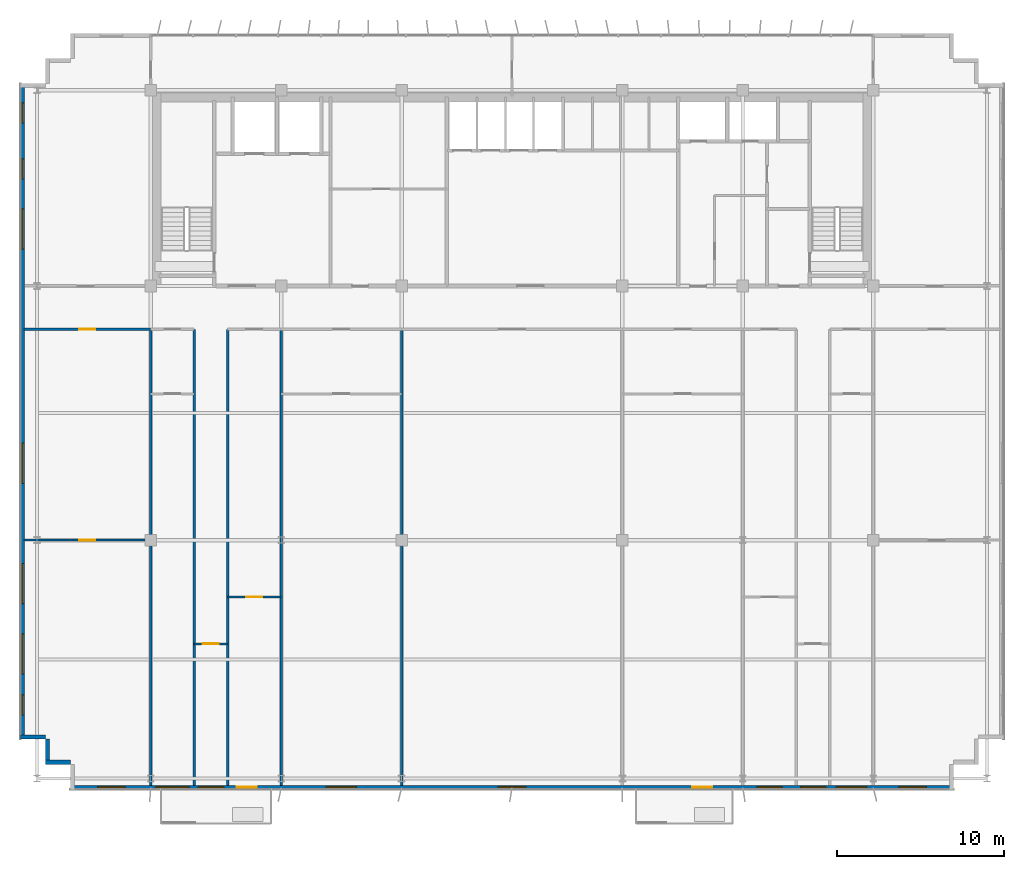
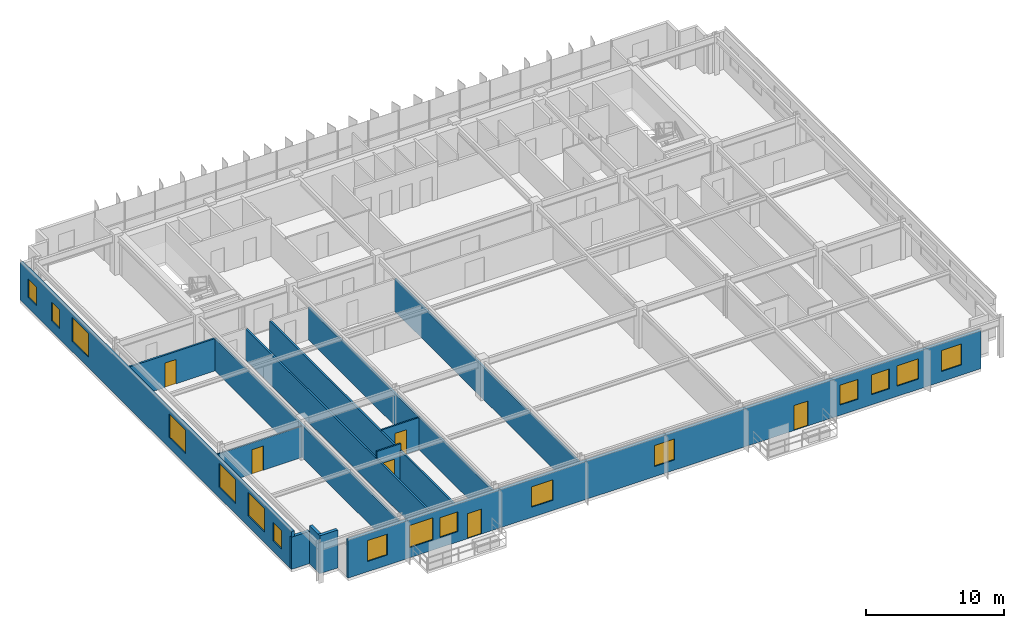
# One storey, part 14 of 20: 16 windows, 14 walls, 6 doors, 22 openings.
"""IFC4 building model written with IfcOpenShell, lengths in metres."""

from ifc_helpers import new_model, si_unit, direction, frame, frame_2d, origin, place, context, subcontext, project, spatial, rectangle, extrude, source, transform, mapped, material, layer, layer_set, type_object, element, fill, save


model = new_model("IFC4")

# Units and contexts
model_context = context("Model", 3, precision=1e-05, world=origin(), true_north=direction((0.0, 1.0)))
body_context = subcontext(model_context, "Body", "Model", "MODEL_VIEW")
ifc_project = project(units=[si_unit("LENGTHUNIT", "METRE"), si_unit("AREAUNIT", "SQUARE_METRE"), si_unit("VOLUMEUNIT", "CUBIC_METRE"), si_unit("PLANEANGLEUNIT", "RADIAN"), si_unit("MASSUNIT", "GRAM", prefix="KILO")], contexts=[model_context])

# Site, building, storey
site_placement = place(None, origin())
site = spatial("IfcSite", under=ifc_project, at=site_placement, CompositionType="ELEMENT")
building_placement = place(site_placement, origin())
building = spatial("IfcBuilding", under=site, at=building_placement, Name="Trelvane Seafront Commons", CompositionType="ELEMENT")
storey_placement = place(building_placement, frame((0.0, 0.0, 150.10009765625)))
storey = spatial("IfcBuildingStorey", under=building, at=storey_placement, Name="L39", CompositionType="ELEMENT", Elevation=150.10009765625)

# Walls
ifc_material_1 = material(Name="Precast concrete C40/50", Category="concrete")
ifc_layer_1 = layer(ifc_material_1, 0.239990234375, Name="ARCH-WALL-EXT240")
ifc_layer_set_1 = layer_set([ifc_layer_1], Name="Precast concrete C40/50")
wall_type_1 = type_object("IfcWallType", Name="ARCH-WALL-EXT240", PredefinedType="SOLIDWALL", material=ifc_layer_set_1)
for number, where, z_axis, x_axis, name in (
    (1, (10.800048828125, 4.919921875, 0.0), (0.0, 0.0, 1.0), (-1.0, 0.0, 0.0), "EW-L39-00760"),
    (2, (9.419921875, 4.800048828125, 0.0), (0.0, 0.0, 1.0), (0.0, 1.0, 0.0), "EW-L39-00761"),
):
    element("IfcWall", number, at=place(storey_placement, frame(where, z_axis=z_axis, x_axis=x_axis)), inside=storey, type_object=wall_type_1, Name=name, PredefinedType="SOLIDWALL", context=body_context, shape_type="SweptSolid", body=[
        extrude(rectangle(XDim=1.5, YDim=0.239990234375, at=frame_2d((0.75, 0.0))), origin(), (0.0, 0.0, 1.0), 3.349853515625),
    ])
wall_1_placement = place(storey_placement, frame((9.300048828125, 6.419921875, 0.0), z_axis=(0.0, 0.0, 1.0), x_axis=(-1.0, 0.0, 0.0)))
element("IfcWall", 3, at=wall_1_placement, inside=storey, type_object=wall_type_1, Name="EW-L39-00762", PredefinedType="SOLIDWALL", context=body_context, shape_type="SweptSolid", body=[
    extrude(rectangle(XDim=1.5, YDim=0.239990234375, at=frame_2d((0.75, 0.0))), origin(), (0.0, 0.0, 1.0), 2.849853515625),
])

# Wall, openings, windows
wall_2_placement = place(storey_placement, frame((7.919921875, 6.300048828125, 0.0), z_axis=(0.0, 0.0, 1.0), x_axis=(0.0, 1.0, 0.0)))
wall_2 = element("IfcWall", 4, at=wall_2_placement, inside=storey, type_object=wall_type_1, Name="EW-L39-00763", PredefinedType="SOLIDWALL", context=body_context, shape_type="SweptSolid", body=[
    extrude(rectangle(XDim=39.199951171875, YDim=0.239990234375, at=frame_2d((19.60009765625, 0.0))), origin(), (0.0, 0.0, 1.0), 3.349853515625),
])
opening_1_placement = place(wall_2_placement, frame((1.449951171875, 0.0, 0.919921875)))
opening_1 = element("IfcOpeningElement", 5, at=opening_1_placement, cuts=wall_2, Name="Opening W05", PredefinedType="OPENING", context=body_context, shape_type="SweptSolid", body=[
    extrude(rectangle(XDim=1.199951171875, YDim=1.64990234375, at=frame_2d((0.60009765625, 0.824951171875))), frame((0.0, 0.1298828125, 0.0), z_axis=(0.0, -1.0, 0.0), x_axis=(1.0, 0.0, 0.0)), (0.0, 0.0, 1.0), 0.260009765625),
])
opening_2_placement = place(wall_2_placement, frame((3.89990234375, 0.0, 0.919921875)))
opening_2 = element("IfcOpeningElement", 6, at=opening_2_placement, cuts=wall_2, Name="Opening W08", PredefinedType="OPENING", context=body_context, shape_type="SweptSolid", body=[
    extrude(rectangle(XDim=2.39990234375, YDim=2.10009765625, at=frame_2d((1.199951171875, 1.050048828125))), frame((0.0, 0.1298828125, 0.0), z_axis=(0.0, -1.0, 0.0), x_axis=(1.0, 0.0, 0.0)), (0.0, 0.0, 1.0), 0.260009765625),
])
opening_3_placement = place(wall_2_placement, frame((8.10009765625, 0.0, 0.919921875)))
opening_3 = element("IfcOpeningElement", 7, at=opening_3_placement, cuts=wall_2, Name="Opening W08", PredefinedType="OPENING", context=body_context, shape_type="SweptSolid", body=[
    extrude(rectangle(XDim=2.39990234375, YDim=2.10009765625, at=frame_2d((1.199951171875, 1.050048828125))), frame((0.0, 0.1298828125, 0.0), z_axis=(0.0, -1.0, 0.0), x_axis=(1.0, 0.0, 0.0)), (0.0, 0.0, 1.0), 0.260009765625),
])
opening_4_placement = place(wall_2_placement, frame((15.300048828125, 0.0, 0.919921875)))
opening_4 = element("IfcOpeningElement", 8, at=opening_4_placement, cuts=wall_2, Name="Opening W08", PredefinedType="OPENING", context=body_context, shape_type="SweptSolid", body=[
    extrude(rectangle(XDim=2.39990234375, YDim=2.10009765625, at=frame_2d((1.199951171875, 1.050048828125))), frame((0.0, 0.1298828125, 0.0), z_axis=(0.0, -1.0, 0.0), x_axis=(1.0, 0.0, 0.0)), (0.0, 0.0, 1.0), 0.260009765625),
])
opening_5_placement = place(wall_2_placement, frame((29.300048828125, 0.0, 0.919921875)))
opening_5 = element("IfcOpeningElement", 9, at=opening_5_placement, cuts=wall_2, Name="Opening W08", PredefinedType="OPENING", context=body_context, shape_type="SweptSolid", body=[
    extrude(rectangle(XDim=2.39990234375, YDim=2.10009765625, at=frame_2d((1.199951171875, 1.050048828125))), frame((0.0, 0.1298828125, 0.0), z_axis=(0.0, -1.0, 0.0), x_axis=(1.0, 0.0, 0.0)), (0.0, 0.0, 1.0), 0.260009765625),
])
opening_6_placement = place(wall_2_placement, frame((33.5, 0.0, 0.919921875)))
opening_6 = element("IfcOpeningElement", 10, at=opening_6_placement, cuts=wall_2, Name="Opening W05", PredefinedType="OPENING", context=body_context, shape_type="SweptSolid", body=[
    extrude(rectangle(XDim=1.199951171875, YDim=1.64990234375, at=frame_2d((0.60009765625, 0.824951171875))), frame((0.0, 0.1298828125, 0.0), z_axis=(0.0, -1.0, 0.0), x_axis=(1.0, 0.0, 0.0)), (0.0, 0.0, 1.0), 0.260009765625),
])
opening_7_placement = place(wall_2_placement, frame((36.85009765625, 0.0, 0.919921875)))
opening_7 = element("IfcOpeningElement", 11, at=opening_7_placement, cuts=wall_2, Name="Opening W05", PredefinedType="OPENING", context=body_context, shape_type="SweptSolid", body=[
    extrude(rectangle(XDim=1.199951171875, YDim=1.64990234375, at=frame_2d((0.60009765625, 0.824951171875))), frame((0.0, 0.1298828125, 0.0), z_axis=(0.0, -1.0, 0.0), x_axis=(1.0, 0.0, 0.0)), (0.0, 0.0, 1.0), 0.260009765625),
])
ifc_material_2 = material(Name="Low-E coastal double glazing", Category="glass")
window_type_1 = type_object("IfcWindowType", Name="ARCH-WIN-W08", PartitioningType="SINGLE_PANEL", PredefinedType="WINDOW", material=ifc_material_2)
shared_shape_1 = source(origin(), body_context, "Body", "SweptSolid", [
    extrude(rectangle(XDim=2.39990234375, YDim=2.10009765625, at=frame_2d((1.199951171875, 1.050048828125))), frame((0.0, 0.030029296875, 0.0), z_axis=(0.0, -1.0, 0.0), x_axis=(1.0, 0.0, 0.0)), (0.0, 0.0, 1.0), 0.06005859375),
])
window_1_placement = place(opening_2_placement, origin())
window_1 = element("IfcWindow", 12, at=window_1_placement, inside=storey, type_object=window_type_1, Name="WIN-L39-EW-00903", OverallHeight=2.10009765625, OverallWidth=2.39990234375, PartitioningType="SINGLE_PANEL", PredefinedType="WINDOW", context=body_context, shape_type="MappedRepresentation", body=[
    mapped(shared_shape_1, transform((0.0, 0.0, 0.0), x_axis=(1.0, 0.0, 0.0), y_axis=(0.0, 1.0, 0.0), z_axis=(0.0, 0.0, 1.0), scale=1.0)),
])
fill(opening_2, window_1)
window_2_placement = place(opening_3_placement, origin())
window_2 = element("IfcWindow", 13, at=window_2_placement, inside=storey, type_object=window_type_1, Name="WIN-L39-EW-00904", OverallHeight=2.10009765625, OverallWidth=2.39990234375, PartitioningType="SINGLE_PANEL", PredefinedType="WINDOW", context=body_context, shape_type="MappedRepresentation", body=[
    mapped(shared_shape_1, transform((0.0, 0.0, 0.0), x_axis=(1.0, 0.0, 0.0), y_axis=(0.0, 1.0, 0.0), z_axis=(0.0, 0.0, 1.0), scale=1.0)),
])
fill(opening_3, window_2)
window_3_placement = place(opening_4_placement, origin())
window_3 = element("IfcWindow", 14, at=window_3_placement, inside=storey, type_object=window_type_1, Name="WIN-L39-EW-00905", OverallHeight=2.10009765625, OverallWidth=2.39990234375, PartitioningType="SINGLE_PANEL", PredefinedType="WINDOW", context=body_context, shape_type="MappedRepresentation", body=[
    mapped(shared_shape_1, transform((0.0, 0.0, 0.0), x_axis=(1.0, 0.0, 0.0), y_axis=(0.0, 1.0, 0.0), z_axis=(0.0, 0.0, 1.0), scale=1.0)),
])
fill(opening_4, window_3)
window_4_placement = place(opening_5_placement, origin())
window_4 = element("IfcWindow", 15, at=window_4_placement, inside=storey, type_object=window_type_1, Name="WIN-L39-EW-00906", OverallHeight=2.10009765625, OverallWidth=2.39990234375, PartitioningType="SINGLE_PANEL", PredefinedType="WINDOW", context=body_context, shape_type="MappedRepresentation", body=[
    mapped(shared_shape_1, transform((0.0, 0.0, 0.0), x_axis=(1.0, 0.0, 0.0), y_axis=(0.0, 1.0, 0.0), z_axis=(0.0, 0.0, 1.0), scale=1.0)),
])
fill(opening_5, window_4)
window_type_2 = type_object("IfcWindowType", Name="ARCH-WIN-W05", PartitioningType="SINGLE_PANEL", PredefinedType="WINDOW", material=ifc_material_2)
shared_shape_2 = source(origin(), body_context, "Body", "SweptSolid", [
    extrude(rectangle(XDim=1.199951171875, YDim=1.64990234375, at=frame_2d((0.60009765625, 0.824951171875))), frame((0.0, 0.030029296875, 0.0), z_axis=(0.0, -1.0, 0.0), x_axis=(1.0, 0.0, 0.0)), (0.0, 0.0, 1.0), 0.06005859375),
])
window_5_placement = place(opening_1_placement, origin())
window_5 = element("IfcWindow", 16, at=window_5_placement, inside=storey, type_object=window_type_2, Name="WIN-L39-EW-00902", OverallHeight=1.64990234375, OverallWidth=1.199951171875, PartitioningType="SINGLE_PANEL", PredefinedType="WINDOW", context=body_context, shape_type="MappedRepresentation", body=[
    mapped(shared_shape_2, transform((0.0, 0.0, 0.0), x_axis=(1.0, 0.0, 0.0), y_axis=(0.0, 1.0, 0.0), z_axis=(0.0, 0.0, 1.0), scale=1.0)),
])
fill(opening_1, window_5)
window_6_placement = place(opening_6_placement, origin())
window_6 = element("IfcWindow", 17, at=window_6_placement, inside=storey, type_object=window_type_2, Name="WIN-L39-EW-00907", OverallHeight=1.64990234375, OverallWidth=1.199951171875, PartitioningType="SINGLE_PANEL", PredefinedType="WINDOW", context=body_context, shape_type="MappedRepresentation", body=[
    mapped(shared_shape_2, transform((0.0, 0.0, 0.0), x_axis=(1.0, 0.0, 0.0), y_axis=(0.0, 1.0, 0.0), z_axis=(0.0, 0.0, 1.0), scale=1.0)),
])
fill(opening_6, window_6)
window_7_placement = place(opening_7_placement, origin())
window_7 = element("IfcWindow", 18, at=window_7_placement, inside=storey, type_object=window_type_2, Name="WIN-L39-EW-00908", OverallHeight=1.64990234375, OverallWidth=1.199951171875, PartitioningType="SINGLE_PANEL", PredefinedType="WINDOW", context=body_context, shape_type="MappedRepresentation", body=[
    mapped(shared_shape_2, transform((0.0, 0.0, 0.0), x_axis=(1.0, 0.0, 0.0), y_axis=(0.0, 1.0, 0.0), z_axis=(0.0, 0.0, 1.0), scale=1.0)),
])
fill(opening_7, window_7)

# Wall, openings, doors, windows
wall_3_placement = place(storey_placement, frame((63.60009765625, 3.419921875, 0.0), z_axis=(0.0, 0.0, 1.0), x_axis=(-1.0, 0.0, 0.0)))
wall_3 = element("IfcWall", 19, at=wall_3_placement, inside=storey, type_object=wall_type_1, Name="EW-L39-00777", PredefinedType="SOLIDWALL", context=body_context, shape_type="SweptSolid", body=[
    extrude(rectangle(XDim=52.800048828125, YDim=0.239990234375, at=frame_2d((26.39990234375, 0.0))), origin(), (0.0, 0.0, 1.0), 3.349853515625),
])
opening_8_placement = place(wall_3_placement, frame((1.6201171875, 0.0, 0.89990234375)))
opening_8 = element("IfcOpeningElement", 20, at=opening_8_placement, cuts=wall_3, Name="Opening W07", PredefinedType="OPENING", context=body_context, shape_type="SweptSolid", body=[
    extrude(rectangle(XDim=1.64990234375, YDim=1.85009765625, at=frame_2d((0.824951171875, 0.925048828125))), frame((0.0, 0.1298828125, 0.0), z_axis=(0.0, -1.0, 0.0), x_axis=(1.0, 0.0, 0.0)), (0.0, 0.0, 1.0), 0.260009765625),
])
opening_9_placement = place(wall_3_placement, frame((5.199951171875, 0.0, 0.89990234375)))
opening_9 = element("IfcOpeningElement", 21, at=opening_9_placement, cuts=wall_3, Name="Opening W01", PredefinedType="OPENING", context=body_context, shape_type="SweptSolid", body=[
    extrude(rectangle(XDim=1.800048828125, YDim=1.800048828125, at=frame_2d((0.89990234375, 0.89990234375))), frame((0.0, 0.1298828125, 0.0), z_axis=(0.0, -1.0, 0.0), x_axis=(1.0, 0.0, 0.0)), (0.0, 0.0, 1.0), 0.260009765625),
])
opening_10_placement = place(wall_3_placement, frame((7.64990234375, 0.0, 0.89990234375)))
opening_10 = element("IfcOpeningElement", 22, at=opening_10_placement, cuts=wall_3, Name="Opening W03", PredefinedType="OPENING", context=body_context, shape_type="SweptSolid", body=[
    extrude(rectangle(XDim=1.5, YDim=1.75, at=frame_2d((0.75, 0.875))), frame((0.0, 0.1298828125, 0.0), z_axis=(0.0, -1.0, 0.0), x_axis=(1.0, 0.0, 0.0)), (0.0, 0.0, 1.0), 0.260009765625),
])
opening_11_placement = place(wall_3_placement, frame((10.25, 0.0, 0.89990234375)))
opening_11 = element("IfcOpeningElement", 23, at=opening_11_placement, cuts=wall_3, Name="Opening W03", PredefinedType="OPENING", context=body_context, shape_type="SweptSolid", body=[
    extrude(rectangle(XDim=1.5, YDim=1.75, at=frame_2d((0.75, 0.875))), frame((0.0, 0.1298828125, 0.0), z_axis=(0.0, -1.0, 0.0), x_axis=(1.0, 0.0, 0.0)), (0.0, 0.0, 1.0), 0.260009765625),
])
opening_12_placement = place(wall_3_placement, frame((14.4169921875, 0.0, 0.0)))
opening_12 = element("IfcOpeningElement", 24, at=opening_12_placement, cuts=wall_3, Name="Opening BD-L39-91", PredefinedType="OPENING", context=body_context, shape_type="SweptSolid", body=[
    extrude(rectangle(XDim=1.199951171875, YDim=2.199951171875, at=frame_2d((0.60009765625, 1.10009765625))), frame((0.0, 0.1298828125, 0.0), z_axis=(0.0, -1.0, 0.0), x_axis=(1.0, 0.0, 0.0)), (0.0, 0.0, 1.0), 0.260009765625),
])
opening_13_placement = place(wall_3_placement, frame((25.574951171875, 0.0, 0.89990234375)))
opening_13 = element("IfcOpeningElement", 25, at=opening_13_placement, cuts=wall_3, Name="Opening W07", PredefinedType="OPENING", context=body_context, shape_type="SweptSolid", body=[
    extrude(rectangle(XDim=1.64990234375, YDim=1.85009765625, at=frame_2d((0.824951171875, 0.925048828125))), frame((0.0, 0.1298828125, 0.0), z_axis=(0.0, -1.0, 0.0), x_axis=(1.0, 0.0, 0.0)), (0.0, 0.0, 1.0), 0.260009765625),
])
opening_14_placement = place(wall_3_placement, frame((35.699951171875, 0.0, 0.89990234375)))
opening_14 = element("IfcOpeningElement", 26, at=opening_14_placement, cuts=wall_3, Name="Opening W01", PredefinedType="OPENING", context=body_context, shape_type="SweptSolid", body=[
    extrude(rectangle(XDim=1.800048828125, YDim=1.800048828125, at=frame_2d((0.89990234375, 0.89990234375))), frame((0.0, 0.1298828125, 0.0), z_axis=(0.0, -1.0, 0.0), x_axis=(1.0, 0.0, 0.0)), (0.0, 0.0, 1.0), 0.260009765625),
])
opening_15_placement = place(wall_3_placement, frame((41.656005859375, 0.0, 0.0)))
opening_15 = element("IfcOpeningElement", 27, at=opening_15_placement, cuts=wall_3, Name="Opening BD-L39-92", PredefinedType="OPENING", context=body_context, shape_type="SweptSolid", body=[
    extrude(rectangle(XDim=1.199951171875, YDim=2.199951171875, at=frame_2d((0.60009765625, 1.10009765625))), frame((0.0, 0.1298828125, 0.0), z_axis=(0.0, -1.0, 0.0), x_axis=(1.0, 0.0, 0.0)), (0.0, 0.0, 1.0), 0.260009765625),
])
opening_16_placement = place(wall_3_placement, frame((43.64990234375, 0.0, 0.89990234375)))
opening_16 = element("IfcOpeningElement", 28, at=opening_16_placement, cuts=wall_3, Name="Opening W03", PredefinedType="OPENING", context=body_context, shape_type="SweptSolid", body=[
    extrude(rectangle(XDim=1.5, YDim=1.75, at=frame_2d((0.75, 0.875))), frame((0.0, 0.1298828125, 0.0), z_axis=(0.0, -1.0, 0.0), x_axis=(1.0, 0.0, 0.0)), (0.0, 0.0, 1.0), 0.260009765625),
])
opening_17_placement = place(wall_3_placement, frame((45.699951171875, 0.0, 0.89990234375)))
opening_17 = element("IfcOpeningElement", 29, at=opening_17_placement, cuts=wall_3, Name="Opening W06", PredefinedType="OPENING", context=body_context, shape_type="SweptSolid", body=[
    extrude(rectangle(XDim=2.0, YDim=1.949951171875, at=frame_2d((1.0, 0.97509765625))), frame((0.0, 0.1298828125, 0.0), z_axis=(0.0, -1.0, 0.0), x_axis=(1.0, 0.0, 0.0)), (0.0, 0.0, 1.0), 0.260009765625),
])
opening_18_placement = place(wall_3_placement, frame((49.530029296875, 0.0, 0.89990234375)))
opening_18 = element("IfcOpeningElement", 30, at=opening_18_placement, cuts=wall_3, Name="Opening W07", PredefinedType="OPENING", context=body_context, shape_type="SweptSolid", body=[
    extrude(rectangle(XDim=1.64990234375, YDim=1.85009765625, at=frame_2d((0.824951171875, 0.925048828125))), frame((0.0, 0.1298828125, 0.0), z_axis=(0.0, -1.0, 0.0), x_axis=(1.0, 0.0, 0.0)), (0.0, 0.0, 1.0), 0.260009765625),
])
ifc_material_3 = material(Name="Powder-coated aluminium frame", Category="aluminium")
door_type_1 = type_object("IfcDoorType", Name="ARCH-DR-BAL1200", OperationType="NOTDEFINED", PredefinedType="DOOR", material=ifc_material_3)
shared_shape_3 = source(origin(), body_context, "Body", "SweptSolid", [
    extrude(rectangle(XDim=1.199951171875, YDim=2.199951171875, at=frame_2d((0.60009765625, 1.10009765625))), frame((0.0, 0.02490234375, 0.0), z_axis=(0.0, -1.0, 0.0), x_axis=(1.0, 0.0, 0.0)), (0.0, 0.0, 1.0), 0.050048828125),
])
door_1_placement = place(opening_12_placement, origin())
door_1 = element("IfcDoor", 31, at=door_1_placement, inside=storey, type_object=door_type_1, Name="L39 Balcony Terrace Access Door", OperationType="SINGLE_SWING_LEFT", OverallHeight=2.199951171875, OverallWidth=1.199951171875, PredefinedType="DOOR", context=body_context, shape_type="MappedRepresentation", body=[
    mapped(shared_shape_3, transform((0.0, 0.0, 0.0), x_axis=(1.0, 0.0, 0.0), y_axis=(0.0, 1.0, 0.0), z_axis=(0.0, 0.0, 1.0), scale=1.0)),
])
fill(opening_12, door_1)
door_2_placement = place(opening_15_placement, origin())
door_2 = element("IfcDoor", 32, at=door_2_placement, inside=storey, type_object=door_type_1, Name="L39 Balcony Terrace Access Door", OperationType="SINGLE_SWING_LEFT", OverallHeight=2.199951171875, OverallWidth=1.199951171875, PredefinedType="DOOR", context=body_context, shape_type="MappedRepresentation", body=[
    mapped(shared_shape_3, transform((0.0, 0.0, 0.0), x_axis=(1.0, 0.0, 0.0), y_axis=(0.0, 1.0, 0.0), z_axis=(0.0, 0.0, 1.0), scale=1.0)),
])
fill(opening_15, door_2)
window_type_3 = type_object("IfcWindowType", Name="ARCH-WIN-W03", PartitioningType="SINGLE_PANEL", PredefinedType="WINDOW", material=ifc_material_2)
shared_shape_4 = source(origin(), body_context, "Body", "SweptSolid", [
    extrude(rectangle(XDim=1.5, YDim=1.75, at=frame_2d((0.75, 0.875))), frame((0.0, 0.030029296875, 0.0), z_axis=(0.0, -1.0, 0.0), x_axis=(1.0, 0.0, 0.0)), (0.0, 0.0, 1.0), 0.06005859375),
])
window_8_placement = place(opening_10_placement, origin())
window_8 = element("IfcWindow", 33, at=window_8_placement, inside=storey, type_object=window_type_3, Name="WIN-L39-00918", OverallHeight=1.75, OverallWidth=1.5, PartitioningType="SINGLE_PANEL", PredefinedType="WINDOW", context=body_context, shape_type="MappedRepresentation", body=[
    mapped(shared_shape_4, transform((0.0, 0.0, 0.0), x_axis=(1.0, 0.0, 0.0), y_axis=(0.0, 1.0, 0.0), z_axis=(0.0, 0.0, 1.0), scale=1.0)),
])
fill(opening_10, window_8)
window_9_placement = place(opening_11_placement, origin())
window_9 = element("IfcWindow", 34, at=window_9_placement, inside=storey, type_object=window_type_3, Name="WIN-L39-00919", OverallHeight=1.75, OverallWidth=1.5, PartitioningType="SINGLE_PANEL", PredefinedType="WINDOW", context=body_context, shape_type="MappedRepresentation", body=[
    mapped(shared_shape_4, transform((0.0, 0.0, 0.0), x_axis=(1.0, 0.0, 0.0), y_axis=(0.0, 1.0, 0.0), z_axis=(0.0, 0.0, 1.0), scale=1.0)),
])
fill(opening_11, window_9)
window_10_placement = place(opening_16_placement, origin())
window_10 = element("IfcWindow", 35, at=window_10_placement, inside=storey, type_object=window_type_3, Name="WIN-L39-00922", OverallHeight=1.75, OverallWidth=1.5, PartitioningType="SINGLE_PANEL", PredefinedType="WINDOW", context=body_context, shape_type="MappedRepresentation", body=[
    mapped(shared_shape_4, transform((0.0, 0.0, 0.0), x_axis=(1.0, 0.0, 0.0), y_axis=(0.0, 1.0, 0.0), z_axis=(0.0, 0.0, 1.0), scale=1.0)),
])
fill(opening_16, window_10)
window_type_4 = type_object("IfcWindowType", Name="ARCH-WIN-W06", PartitioningType="SINGLE_PANEL", PredefinedType="WINDOW", material=ifc_material_2)
shared_shape_5 = source(origin(), body_context, "Body", "SweptSolid", [
    extrude(rectangle(XDim=2.0, YDim=1.949951171875, at=frame_2d((1.0, 0.97509765625))), frame((0.0, 0.030029296875, 0.0), z_axis=(0.0, -1.0, 0.0), x_axis=(1.0, 0.0, 0.0)), (0.0, 0.0, 1.0), 0.06005859375),
])
window_11_placement = place(opening_17_placement, origin())
window_11 = element("IfcWindow", 36, at=window_11_placement, inside=storey, type_object=window_type_4, Name="WIN-L39-00923", OverallHeight=1.949951171875, OverallWidth=2.0, PartitioningType="SINGLE_PANEL", PredefinedType="WINDOW", context=body_context, shape_type="MappedRepresentation", body=[
    mapped(shared_shape_5, transform((0.0, 0.0, 0.0), x_axis=(1.0, 0.0, 0.0), y_axis=(0.0, 1.0, 0.0), z_axis=(0.0, 0.0, 1.0), scale=1.0)),
])
fill(opening_17, window_11)
window_type_5 = type_object("IfcWindowType", Name="ARCH-WIN-W01", PartitioningType="SINGLE_PANEL", PredefinedType="WINDOW", material=ifc_material_2)
shared_shape_6 = source(origin(), body_context, "Body", "SweptSolid", [
    extrude(rectangle(XDim=1.800048828125, YDim=1.800048828125, at=frame_2d((0.89990234375, 0.89990234375))), frame((0.0, 0.030029296875, 0.0), z_axis=(0.0, -1.0, 0.0), x_axis=(1.0, 0.0, 0.0)), (0.0, 0.0, 1.0), 0.06005859375),
])
window_12_placement = place(opening_9_placement, origin())
window_12 = element("IfcWindow", 37, at=window_12_placement, inside=storey, type_object=window_type_5, Name="WIN-L39-00917", OverallHeight=1.800048828125, OverallWidth=1.800048828125, PartitioningType="SINGLE_PANEL", PredefinedType="WINDOW", context=body_context, shape_type="MappedRepresentation", body=[
    mapped(shared_shape_6, transform((0.0, 0.0, 0.0), x_axis=(1.0, 0.0, 0.0), y_axis=(0.0, 1.0, 0.0), z_axis=(0.0, 0.0, 1.0), scale=1.0)),
])
fill(opening_9, window_12)
window_13_placement = place(opening_14_placement, origin())
window_13 = element("IfcWindow", 38, at=window_13_placement, inside=storey, type_object=window_type_5, Name="WIN-L39-00921", OverallHeight=1.800048828125, OverallWidth=1.800048828125, PartitioningType="SINGLE_PANEL", PredefinedType="WINDOW", context=body_context, shape_type="MappedRepresentation", body=[
    mapped(shared_shape_6, transform((0.0, 0.0, 0.0), x_axis=(1.0, 0.0, 0.0), y_axis=(0.0, 1.0, 0.0), z_axis=(0.0, 0.0, 1.0), scale=1.0)),
])
fill(opening_14, window_13)
window_type_6 = type_object("IfcWindowType", Name="ARCH-WIN-W07", PartitioningType="SINGLE_PANEL", PredefinedType="WINDOW", material=ifc_material_2)
shared_shape_7 = source(origin(), body_context, "Body", "SweptSolid", [
    extrude(rectangle(XDim=1.64990234375, YDim=1.85009765625, at=frame_2d((0.824951171875, 0.925048828125))), frame((0.0, 0.030029296875, 0.0), z_axis=(0.0, -1.0, 0.0), x_axis=(1.0, 0.0, 0.0)), (0.0, 0.0, 1.0), 0.06005859375),
])
window_14_placement = place(opening_8_placement, origin())
window_14 = element("IfcWindow", 39, at=window_14_placement, inside=storey, type_object=window_type_6, Name="WIN-L39-00916", OverallHeight=1.85009765625, OverallWidth=1.64990234375, PartitioningType="SINGLE_PANEL", PredefinedType="WINDOW", context=body_context, shape_type="MappedRepresentation", body=[
    mapped(shared_shape_7, transform((0.0, 0.0, 0.0), x_axis=(1.0, 0.0, 0.0), y_axis=(0.0, 1.0, 0.0), z_axis=(0.0, 0.0, 1.0), scale=1.0)),
])
fill(opening_8, window_14)
window_15_placement = place(opening_13_placement, origin())
window_15 = element("IfcWindow", 40, at=window_15_placement, inside=storey, type_object=window_type_6, Name="WIN-L39-00920", OverallHeight=1.85009765625, OverallWidth=1.64990234375, PartitioningType="SINGLE_PANEL", PredefinedType="WINDOW", context=body_context, shape_type="MappedRepresentation", body=[
    mapped(shared_shape_7, transform((0.0, 0.0, 0.0), x_axis=(1.0, 0.0, 0.0), y_axis=(0.0, 1.0, 0.0), z_axis=(0.0, 0.0, 1.0), scale=1.0)),
])
fill(opening_13, window_15)
window_16_placement = place(opening_18_placement, origin())
window_16 = element("IfcWindow", 41, at=window_16_placement, inside=storey, type_object=window_type_6, Name="WIN-L39-00924", OverallHeight=1.85009765625, OverallWidth=1.64990234375, PartitioningType="SINGLE_PANEL", PredefinedType="WINDOW", context=body_context, shape_type="MappedRepresentation", body=[
    mapped(shared_shape_7, transform((0.0, 0.0, 0.0), x_axis=(1.0, 0.0, 0.0), y_axis=(0.0, 1.0, 0.0), z_axis=(0.0, 0.0, 1.0), scale=1.0)),
])
fill(opening_18, window_16)

# Wall, opening, door
ifc_material_4 = material(Name="Gypsum Drywall Acoustic Partition")
ifc_layer_2 = layer(ifc_material_4, 0.1201171875, Name="ARCH-WALL-PART120")
ifc_layer_set_2 = layer_set([ifc_layer_2], Name="Gypsum Drywall Acoustic Partition")
wall_type_2 = type_object("IfcWallType", Name="ARCH-WALL-PART120", PredefinedType="PARTITIONING", material=ifc_layer_set_2)
wall_4_placement = place(storey_placement, frame((8.02490234375, 18.199951171875, 0.0), z_axis=(0.0, 0.0, 1.0), x_axis=(1.0, 0.0, 0.0)))
wall_4 = element("IfcWall", 42, at=wall_4_placement, inside=storey, type_object=wall_type_2, Name="W-L39-U1-DIV-048", PredefinedType="PARTITIONING", context=body_context, shape_type="SweptSolid", body=[
    extrude(rectangle(XDim=7.5751953125, YDim=0.1201171875, at=frame_2d((3.78759765625, 0.0))), origin(), (0.0, 0.0, 1.0), 2.75),
])
opening_19_placement = place(wall_4_placement, frame((3.31201171875, 0.0, 0.0)))
opening_19 = element("IfcOpeningElement", 43, at=opening_19_placement, cuts=wall_4, Name="Opening D-L39-25", PredefinedType="OPENING", context=body_context, shape_type="SweptSolid", body=[
    extrude(rectangle(XDim=0.949951171875, YDim=2.14990234375, at=frame_2d((0.47509765625, 1.074951171875))), frame((0.0, 0.070068359375, 0.0), z_axis=(0.0, -1.0, 0.0), x_axis=(1.0, 0.0, 0.0)), (0.0, 0.0, 1.0), 0.14013671875),
])
ifc_material_5 = material(Name="Acoustic timber door leaf", Category="wood")
door_type_2 = type_object("IfcDoorType", Name="ARCH-DR-INT950", OperationType="NOTDEFINED", PredefinedType="DOOR", material=ifc_material_5)
shared_shape_8 = source(origin(), body_context, "Body", "SweptSolid", [
    extrude(rectangle(XDim=0.949951171875, YDim=2.14990234375, at=frame_2d((0.47509765625, 1.074951171875))), frame((0.0, 0.02490234375, 0.0), z_axis=(0.0, -1.0, 0.0), x_axis=(1.0, 0.0, 0.0)), (0.0, 0.0, 1.0), 0.050048828125),
])
door_3_placement = place(opening_19_placement, origin())
door_3 = element("IfcDoor", 44, at=door_3_placement, inside=storey, type_object=door_type_2, Name="L39 Door 25", OperationType="SINGLE_SWING_LEFT", OverallHeight=2.14990234375, OverallWidth=0.949951171875, PredefinedType="DOOR", context=body_context, shape_type="MappedRepresentation", body=[
    mapped(shared_shape_8, transform((0.0, 0.0, 0.0), x_axis=(1.0, 0.0, 0.0), y_axis=(0.0, 1.0, 0.0), z_axis=(0.0, 0.0, 1.0), scale=1.0)),
])
fill(opening_19, door_3)

wall_5_placement = place(storey_placement, frame((18.199951171875, 12.0, 0.0), z_axis=(0.0, 0.0, 1.0), x_axis=(1.0, 0.0, 0.0)))
wall_5 = element("IfcWall", 45, at=wall_5_placement, inside=storey, type_object=wall_type_2, Name="W-L39-ARM-END-3-053", PredefinedType="PARTITIONING", context=body_context, shape_type="SweptSolid", body=[
    extrude(rectangle(XDim=2.0, YDim=0.1201171875, at=frame_2d((1.0, 0.0))), origin(), (0.0, 0.0, 1.0), 3.349853515625),
])
opening_20_placement = place(wall_5_placement, frame((0.52001953125, 0.0, 0.0)))
opening_20 = element("IfcOpeningElement", 46, at=opening_20_placement, cuts=wall_5, Name="Opening D-L39-28", PredefinedType="OPENING", context=body_context, shape_type="SweptSolid", body=[
    extrude(rectangle(XDim=0.949951171875, YDim=2.14990234375, at=frame_2d((0.47509765625, 1.074951171875))), frame((0.0, 0.070068359375, 0.0), z_axis=(0.0, -1.0, 0.0), x_axis=(1.0, 0.0, 0.0)), (0.0, 0.0, 1.0), 0.14013671875),
])
door_4_placement = place(opening_20_placement, origin())
door_4 = element("IfcDoor", 47, at=door_4_placement, inside=storey, type_object=door_type_2, Name="L39 Door 28", OperationType="SINGLE_SWING_RIGHT", OverallHeight=2.14990234375, OverallWidth=0.949951171875, PredefinedType="DOOR", context=body_context, shape_type="MappedRepresentation", body=[
    mapped(shared_shape_8, transform((0.0, 0.0, 0.0), x_axis=(1.0, 0.0, 0.0), y_axis=(0.0, 1.0, 0.0), z_axis=(0.0, 0.0, 1.0), scale=1.0)),
])
fill(opening_20, door_4)

wall_6_placement = place(storey_placement, frame((20.199951171875, 14.800048828125, 0.0), z_axis=(0.0, 0.0, 1.0), x_axis=(1.0, 0.0, 0.0)))
wall_6 = element("IfcWall", 48, at=wall_6_placement, inside=storey, type_object=wall_type_2, Name="W-L39-U4-DIV-055", PredefinedType="PARTITIONING", context=body_context, shape_type="SweptSolid", body=[
    extrude(rectangle(XDim=3.199951171875, YDim=0.1201171875, at=frame_2d((1.60009765625, 0.0))), origin(), (0.0, 0.0, 1.0), 2.849853515625),
])
opening_21_placement = place(wall_6_placement, frame((1.125, 0.0, 0.0)))
opening_21 = element("IfcOpeningElement", 49, at=opening_21_placement, cuts=wall_6, Name="Opening D-L39-30", PredefinedType="OPENING", context=body_context, shape_type="SweptSolid", body=[
    extrude(rectangle(XDim=0.949951171875, YDim=2.14990234375, at=frame_2d((0.47509765625, 1.074951171875))), frame((0.0, 0.070068359375, 0.0), z_axis=(0.0, -1.0, 0.0), x_axis=(1.0, 0.0, 0.0)), (0.0, 0.0, 1.0), 0.14013671875),
])
door_5_placement = place(opening_21_placement, origin())
door_5 = element("IfcDoor", 50, at=door_5_placement, inside=storey, type_object=door_type_2, Name="L39 Door 30", OperationType="SINGLE_SWING_RIGHT", OverallHeight=2.14990234375, OverallWidth=0.949951171875, PredefinedType="DOOR", context=body_context, shape_type="MappedRepresentation", body=[
    mapped(shared_shape_8, transform((0.0, 0.0, 0.0), x_axis=(1.0, 0.0, 0.0), y_axis=(0.0, 1.0, 0.0), z_axis=(0.0, 0.0, 1.0), scale=1.0)),
])
fill(opening_21, door_5)

# Walls
ifc_layer_3 = layer(ifc_material_4, 0.14990234375, Name="ARCH-WALL-PART150")
ifc_layer_set_3 = layer_set([ifc_layer_3], Name="Gypsum Drywall Acoustic Partition")
wall_type_3 = type_object("IfcWallType", Name="ARCH-WALL-PART150", PredefinedType="PARTITIONING", material=ifc_layer_set_3)
for number, where, z_axis, x_axis, name in (
    (51, (15.60009765625, 3.52490234375, 0.0), (0.0, 0.0, 1.0), (0.0, 1.0, 0.0), "W-L39-PW-1-041"),
    (52, (23.39990234375, 3.52490234375, 0.0), (0.0, 0.0, 1.0), (0.0, 1.0, 0.0), "W-L39-PW-4-042"),
    (53, (30.60009765625, 3.52490234375, 0.0), (0.0, 0.0, 1.0), (0.0, 1.0, 0.0), "W-L39-PW-5-043"),
):
    element("IfcWall", number, at=place(storey_placement, frame(where, z_axis=z_axis, x_axis=x_axis)), inside=storey, type_object=wall_type_3, Name=name, PredefinedType="PARTITIONING", context=body_context, shape_type="SweptSolid", body=[
        extrude(rectangle(XDim=27.275146484375, YDim=0.14990234375, at=frame_2d((13.6376953125, 0.0))), origin(), (0.0, 0.0, 1.0), 2.849853515625),
    ])

# Wall, opening, door
wall_7_placement = place(storey_placement, frame((8.02490234375, 30.800048828125, 0.0), z_axis=(0.0, 0.0, 1.0), x_axis=(1.0, 0.0, 0.0)))
wall_7 = element("IfcWall", 54, at=wall_7_placement, inside=storey, type_object=wall_type_3, Name="W-L39-CS-BAY-1-047", PredefinedType="PARTITIONING", context=body_context, shape_type="SweptSolid", body=[
    extrude(rectangle(XDim=7.5751953125, YDim=0.14990234375, at=frame_2d((3.78759765625, 0.0))), origin(), (0.0, 0.0, 1.0), 2.849853515625),
])
opening_22_placement = place(wall_7_placement, frame((3.31201171875, 0.0, 0.0)))
opening_22 = element("IfcOpeningElement", 55, at=opening_22_placement, cuts=wall_7, Name="Opening FD-L39-24", PredefinedType="OPENING", context=body_context, shape_type="SweptSolid", body=[
    extrude(rectangle(XDim=0.949951171875, YDim=2.14990234375, at=frame_2d((0.47509765625, 1.074951171875))), frame((0.0, 0.0849609375, 0.0), z_axis=(0.0, -1.0, 0.0), x_axis=(1.0, 0.0, 0.0)), (0.0, 0.0, 1.0), 0.169921875),
])
door_type_3 = type_object("IfcDoorType", Name="ARCH-DR-FD60-950", OperationType="NOTDEFINED", PredefinedType="DOOR", material=ifc_material_3)
door_6_placement = place(opening_22_placement, origin())
door_6 = element("IfcDoor", 56, at=door_6_placement, inside=storey, type_object=door_type_3, Name="L39 Bay 01 Entrance Door", OperationType="SINGLE_SWING_RIGHT", OverallHeight=2.14990234375, OverallWidth=0.949951171875, PredefinedType="DOOR", context=body_context, shape_type="MappedRepresentation", body=[
    mapped(shared_shape_8, transform((0.0, 0.0, 0.0), x_axis=(1.0, 0.0, 0.0), y_axis=(0.0, 1.0, 0.0), z_axis=(0.0, 0.0, 1.0), scale=1.0)),
])
fill(opening_22, door_6)

# Walls
for number, where, z_axis, x_axis, name in (
    (57, (18.199951171875, 3.52490234375, 0.0), (0.0, 0.0, 1.0), (0.0, 1.0, 0.0), "W-L39-ARM-W-3-051"),
    (58, (20.199951171875, 3.52490234375, 0.0), (0.0, 0.0, 1.0), (0.0, 1.0, 0.0), "W-L39-ARM-E-3-052"),
):
    element("IfcWall", number, at=place(storey_placement, frame(where, z_axis=z_axis, x_axis=x_axis)), inside=storey, type_object=wall_type_3, Name=name, PredefinedType="PARTITIONING", context=body_context, shape_type="SweptSolid", body=[
        extrude(rectangle(XDim=27.275146484375, YDim=0.14990234375, at=frame_2d((13.6376953125, 0.0))), origin(), (0.0, 0.0, 1.0), 2.75),
    ])

save(model, "model.ifc")
